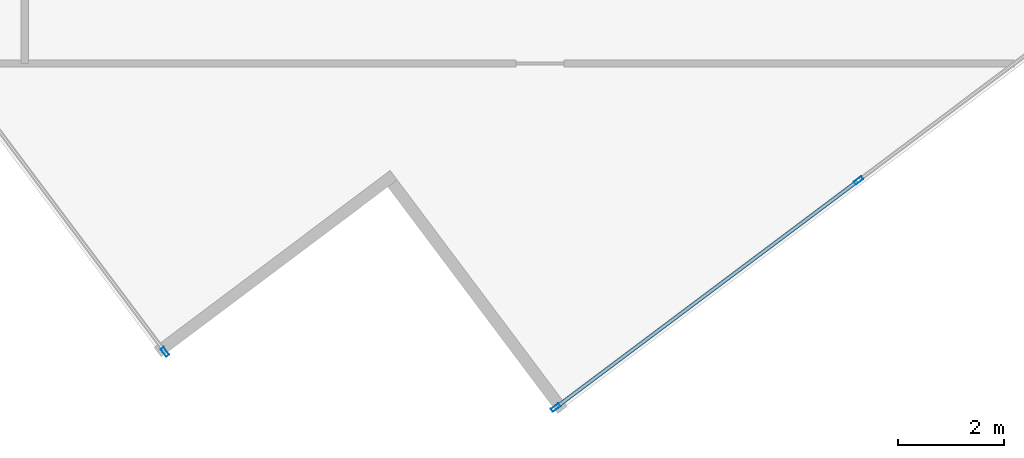
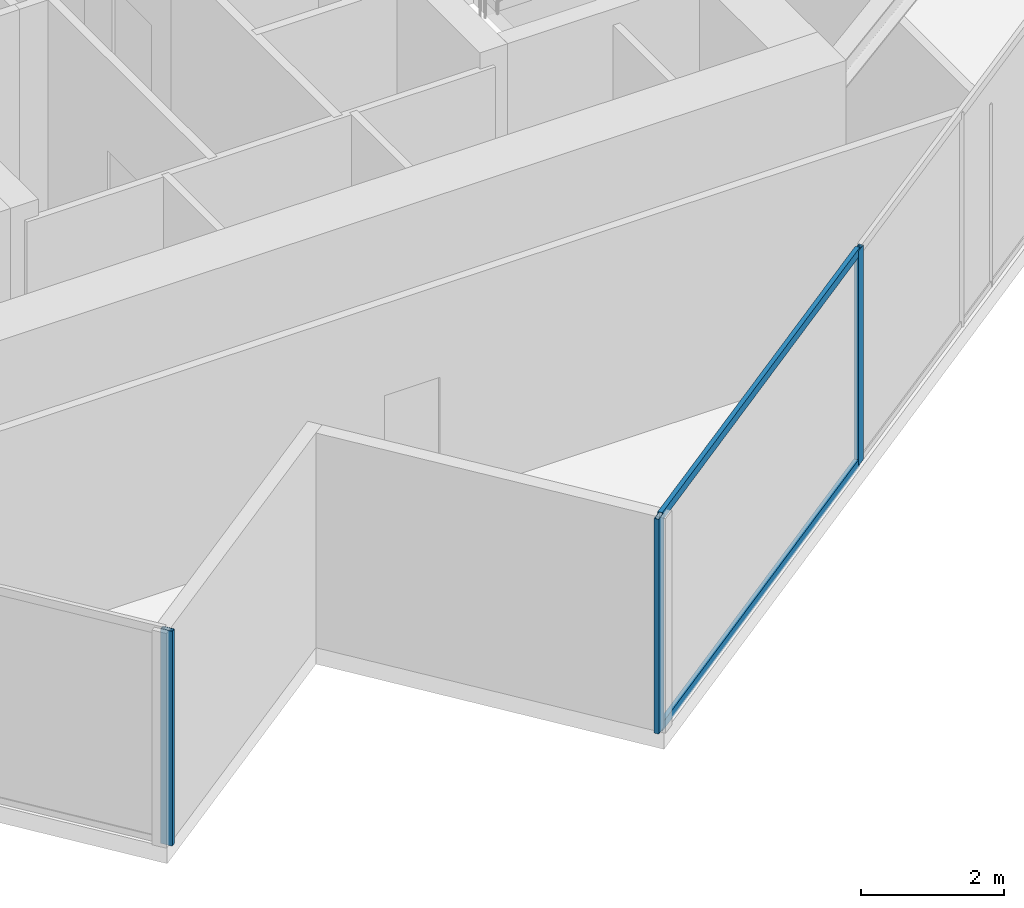
# One storey, part 3 of 21: 5 members, 2 elements without a shape of their own.
"""IFC4 building model written with IfcOpenShell, lengths in metres."""

from ifc_helpers import new_model, si_unit, direction, frame, origin, origin_2d, place, context, subcontext, project, spatial, hollow_rectangle, extrude, source, transform, mapped, material, material_profile, profile_set, type_object, type_shapes, element, aggregate, save


model = new_model("IFC4")

# Units and contexts
model_context = context("Model", 3, precision=1e-05, world=origin(), true_north=direction((0.0, 1.0)))
body_context = subcontext(model_context, "Body", "Model", "MODEL_VIEW")
ifc_project = project(units=[si_unit("LENGTHUNIT", "METRE"), si_unit("AREAUNIT", "SQUARE_METRE"), si_unit("VOLUMEUNIT", "CUBIC_METRE"), si_unit("PLANEANGLEUNIT", "RADIAN"), si_unit("MASSUNIT", "GRAM", prefix="KILO")], contexts=[model_context])

# Site, building, storey
site_placement = place(None, origin())
site = spatial("IfcSite", under=ifc_project, at=site_placement, CompositionType="ELEMENT")
building_placement = place(site_placement, origin())
building = spatial("IfcBuilding", under=site, at=building_placement, Name="Krantzveldt Concourse Tower", CompositionType="ELEMENT")
storey_placement = place(building_placement, frame((0.0, 0.0, 267.39990234375)))
storey = spatial("IfcBuildingStorey", under=building, at=storey_placement, Name="L65", CompositionType="ELEMENT", Elevation=267.39990234375)

# Curtain wall, member
ifc_material = material(Name="Anodised aluminium 6063-T6", Category="aluminium")
curtain_wall_type = type_object("IfcCurtainWallType", Name="CW4", PredefinedType="USERDEFINED", material=ifc_material)
curtain_wall_1_placement = place(storey_placement, origin())
curtain_wall_1 = element("IfcCurtainWall", 1, at=curtain_wall_1_placement, inside=storey, type_object=curtain_wall_type, Name="CW-L65-F04", ObjectType="UNITISED CURTAIN WALL", PredefinedType="USERDEFINED")
ifc_material_profile_1 = material_profile(ifc_material, hollow_rectangle(XDim=0.070068359375, YDim=0.179931640625, WallThickness=0.0048828125, at=origin_2d()), Name="Anodised aluminium 6063-T6", Category="aluminium")
ifc_profile_set_1 = profile_set([ifc_material_profile_1], Name="Anodised aluminium 6063-T6 - ALU-MULL 180x70x5")
member_type_1 = type_object("IfcMemberType", Name="CW-MUL-180", PredefinedType="MULLION", material=ifc_profile_set_1)
shared_shape_1 = source(origin(), body_context, "Body", "SweptSolid", [
    extrude(hollow_rectangle(XDim=0.070068359375, YDim=0.179931640625, WallThickness=0.0048828125, at=origin_2d()), origin(), (0.0, 0.0, 1.0), 3.670166015625),
])
type_shapes(member_type_1, [shared_shape_1])
member_1_placement = place(storey_placement, frame((28.953125, 3.581298828125, 0.0), z_axis=(0.0, 0.0, 1.0), x_axis=(0.799946500313, 0.600071326292, 0.0)))
member_1 = element("IfcMember", 2, at=member_1_placement, type_object=member_type_1, Name="CW-Z56 mullion 5", PredefinedType="MULLION", context=body_context, shape_type="MappedRepresentation", body=[
    mapped(shared_shape_1, transform((0.0, 0.0, 0.0), x_axis=(1.0, 0.0, 0.0), y_axis=(0.0, 1.0, 0.0), z_axis=(0.0, 0.0, 1.0), scale=1.0)),
])
aggregate(curtain_wall_1, [member_1])

# Curtain wall, members
curtain_wall_2_placement = place(storey_placement, origin())
curtain_wall_2 = element("IfcCurtainWall", 3, at=curtain_wall_2_placement, inside=storey, type_object=curtain_wall_type, Name="CW-L65-F07", ObjectType="UNITISED CURTAIN WALL", PredefinedType="USERDEFINED")
member_2_placement = place(storey_placement, frame((36.296142578125, 2.532958984375, 0.0), z_axis=(0.0, 0.0, 1.0), x_axis=(-0.600071326292, 0.799946500313, 0.0)))
member_2 = element("IfcMember", 4, at=member_2_placement, type_object=member_type_1, Name="CW-Z56 mullion 1", PredefinedType="MULLION", context=body_context, shape_type="MappedRepresentation", body=[
    mapped(shared_shape_1, transform((0.0, 0.0, 0.0), x_axis=(1.0, 0.0, 0.0), y_axis=(0.0, 1.0, 0.0), z_axis=(0.0, 0.0, 1.0), scale=1.0)),
])
member_3_placement = place(storey_placement, frame((41.98779296875, 6.802490234375, 0.0), z_axis=(0.0, 0.0, 1.0), x_axis=(-0.600071326292, 0.799946500313, 0.0)))
member_3 = element("IfcMember", 5, at=member_3_placement, type_object=member_type_1, Name="CW-Z56 mullion 2", PredefinedType="MULLION", context=body_context, shape_type="MappedRepresentation", body=[
    mapped(shared_shape_1, transform((0.0, 0.0, 0.0), x_axis=(1.0, 0.0, 0.0), y_axis=(0.0, 1.0, 0.0), z_axis=(0.0, 0.0, 1.0), scale=1.0)),
])
ifc_material_profile_2 = material_profile(ifc_material, hollow_rectangle(XDim=0.070068359375, YDim=0.139892578125, WallThickness=0.0048828125, at=origin_2d()), Name="Anodised aluminium 6063-T6", Category="aluminium")
ifc_profile_set_2 = profile_set([ifc_material_profile_2], Name="Anodised aluminium 6063-T6 - ALU-TRAN 140x70x5")
member_type_2 = type_object("IfcMemberType", Name="CW-TRN-150", PredefinedType="USERDEFINED", material=ifc_profile_set_2)
shared_shape_2 = source(origin(), body_context, "Body", "SweptSolid", [
    extrude(hollow_rectangle(XDim=0.070068359375, YDim=0.139892578125, WallThickness=0.0048828125, at=origin_2d()), origin(), (0.0, 0.0, 1.0), 7.044921875),
])
type_shapes(member_type_2, [shared_shape_2])
member_4_placement = place(storey_placement, frame((36.32421875, 2.553955078125, 0.03515625), z_axis=(0.799937616969, 0.600083168368, 0.0), x_axis=(-0.600083168368, 0.799937616969, 0.0)))
member_4 = element("IfcMember", 6, at=member_4_placement, type_object=member_type_2, Name="CW-Z56 transom 1.1", ObjectType="TRANSOM", PredefinedType="USERDEFINED", context=body_context, shape_type="MappedRepresentation", body=[
    mapped(shared_shape_2, transform((0.0, 0.0, 0.0), x_axis=(1.0, 0.0, 0.0), y_axis=(0.0, 1.0, 0.0), z_axis=(0.0, 0.0, 1.0), scale=1.0)),
])
member_5_placement = place(storey_placement, frame((36.32421875, 2.553955078125, 3.635009765625), z_axis=(0.799937616969, 0.600083168368, 0.0), x_axis=(-0.600083168368, 0.799937616969, 0.0)))
member_5 = element("IfcMember", 7, at=member_5_placement, type_object=member_type_2, Name="CW-Z56 transom 1.2", ObjectType="TRANSOM", PredefinedType="USERDEFINED", context=body_context, shape_type="MappedRepresentation", body=[
    mapped(shared_shape_2, transform((0.0, 0.0, 0.0), x_axis=(1.0, 0.0, 0.0), y_axis=(0.0, 1.0, 0.0), z_axis=(0.0, 0.0, 1.0), scale=1.0)),
])
aggregate(curtain_wall_2, [member_2, member_3, member_4, member_5])

save(model, "model.ifc")
